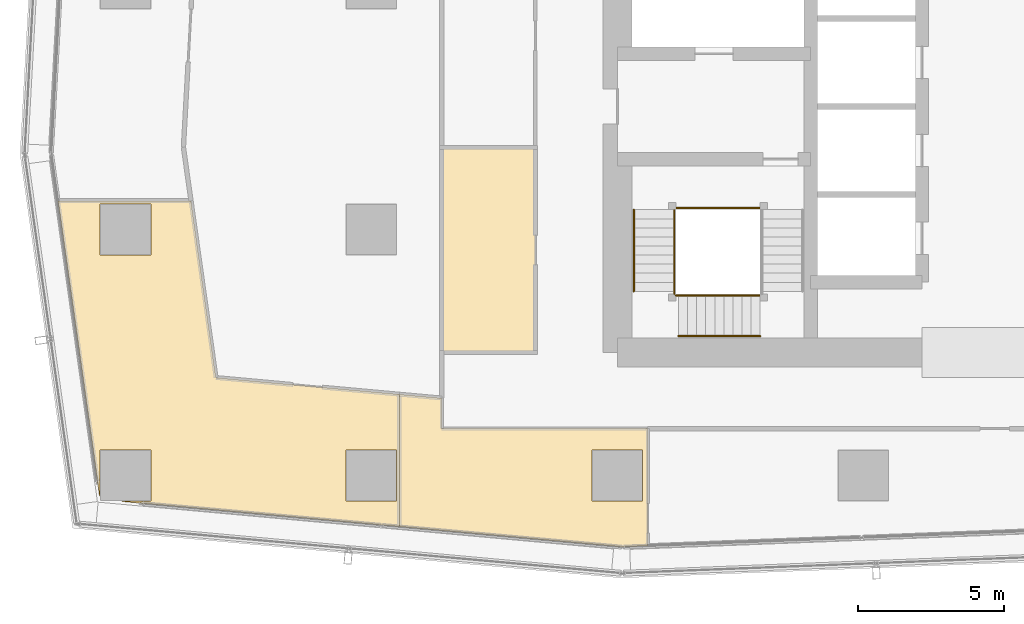
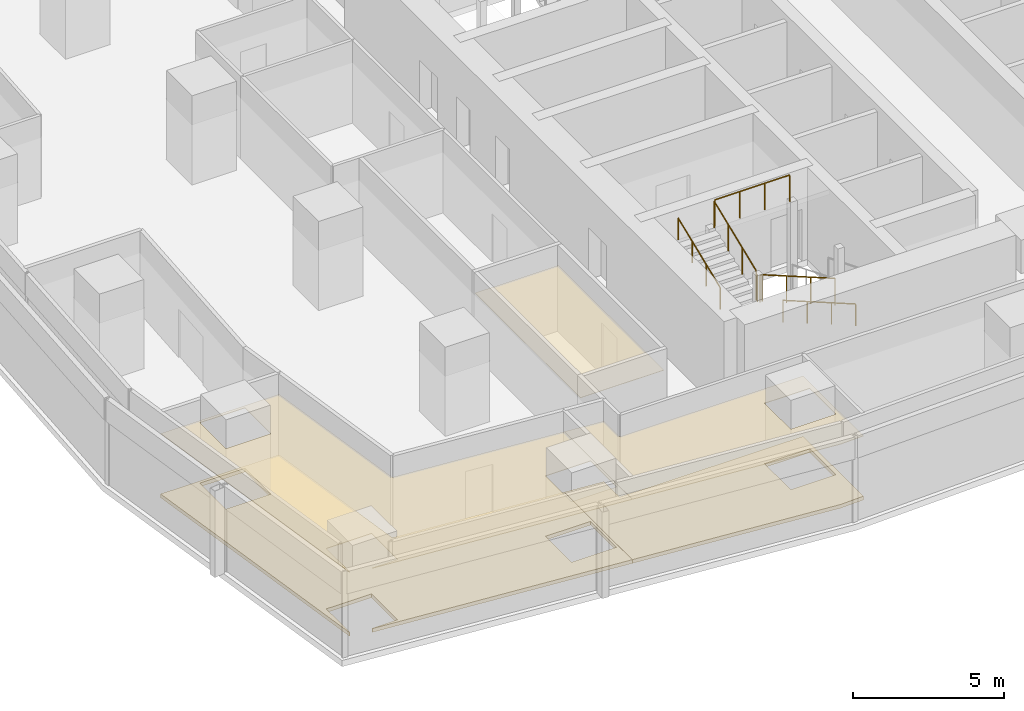
# One storey, part 33 of 40: 7 railings, 5 coverings.
"""IFC4 building model written with IfcOpenShell, lengths in metres."""

from ifc_helpers import new_model, si_unit, direction, frame, origin, origin_2d, place, context, subcontext, project, spatial, polyline, circle, outline, extrude, material, layer, layer_set, type_object, element, save


model = new_model("IFC4")

# Units and contexts
model_context = context("Model", 3, precision=1e-05, world=origin(), true_north=direction((0.0, 1.0)))
body_context = subcontext(model_context, "Body", "Model", "MODEL_VIEW")
ifc_project = project(units=[si_unit("LENGTHUNIT", "METRE"), si_unit("AREAUNIT", "SQUARE_METRE"), si_unit("VOLUMEUNIT", "CUBIC_METRE"), si_unit("PLANEANGLEUNIT", "RADIAN"), si_unit("MASSUNIT", "GRAM", prefix="KILO")], contexts=[model_context])

# Site, building, storey
site_placement = place(None, origin())
site = spatial("IfcSite", under=ifc_project, at=site_placement, CompositionType="ELEMENT")
building_placement = place(site_placement, origin())
building = spatial("IfcBuilding", under=site, at=building_placement, Name="Rekha Terrace Tower", CompositionType="ELEMENT")
storey_placement = place(building_placement, frame((0.0, 0.0, 102.800048828125)))
storey = spatial("IfcBuildingStorey", under=building, at=storey_placement, Name="L25", CompositionType="ELEMENT", Elevation=102.800048828125)

# Coverings
ifc_material_1 = material(Name="Mineral fibre tile in exposed grid", Category="finish")
ifc_layer_1 = layer(ifc_material_1, 0.02001953125)
ifc_layer_set_1 = layer_set([ifc_layer_1], Name="Mineral fibre tile in exposed grid")
covering_type_1 = type_object("IfcCoveringType", Name="CL1 600x1200 office grid ceiling", PredefinedType="CEILING", material=ifc_layer_set_1)
covering_1_placement = place(storey_placement, frame((0.0, 0.0, 2.579833984375)))
element("IfcCovering", 1, at=covering_1_placement, inside=storey, type_object=covering_type_1, Name="Ceiling L25-19", PredefinedType="CEILING", context=body_context, shape_type="SweptSolid", body=[
    extrude(outline(polyline([(7.514892578125, 16.096923828125), (7.534912109375, 16.097900390625), (7.534912109375, 17.6650390625), (9.264892578125, 17.6650390625), (9.264892578125, 15.93505859375), (8.283935546875, 15.93505859375), (8.282958984375, 15.912109375), (17.751953125, 15.052001953125), (17.751953125, 19.570068359375), (11.489990234375, 20.138916015625), (10.638916015625, 26.176025390625), (6.094970703125, 26.176025390625), (7.514892578125, 16.096923828125)]), holes=[polyline([(17.6650390625, 15.93505859375), (15.93505859375, 15.93505859375), (15.93505859375, 17.6650390625), (17.6650390625, 17.6650390625), (17.6650390625, 15.93505859375)]), polyline([(9.264892578125, 24.3349609375), (7.534912109375, 24.3349609375), (7.534912109375, 26.06494140625), (9.264892578125, 26.06494140625), (9.264892578125, 24.3349609375)])]), origin(), (0.0, 0.0, 1.0), 0.02001953125),
])
covering_2_placement = place(storey_placement, frame((0.0, 0.0, 2.579833984375)))
element("IfcCovering", 2, at=covering_2_placement, inside=storey, type_object=covering_type_1, Name="Ceiling L25-20", PredefinedType="CEILING", context=body_context, shape_type="SweptSolid", body=[
    extrude(outline(polyline([(26.23388671875, 14.39697265625), (26.23388671875, 18.39990234375), (19.199951171875, 18.39990234375), (19.199951171875, 19.43896484375), (17.7529296875, 19.570068359375), (17.7529296875, 15.052001953125), (25.346923828125, 14.362060546875), (26.23388671875, 14.39697265625)]), holes=[polyline([(26.06494140625, 17.6650390625), (26.06494140625, 15.93505859375), (24.3349609375, 15.93505859375), (24.3349609375, 17.6650390625), (26.06494140625, 17.6650390625)])]), origin(), (0.0, 0.0, 1.0), 0.02001953125),
])
ifc_material_2 = material(Name="Fibre cement board", Category="finish")
ifc_layer_2 = layer(ifc_material_2, 0.014892578125)
ifc_layer_set_2 = layer_set([ifc_layer_2], Name="Fibre cement board")
covering_type_2 = type_object("IfcCoveringType", Name="CL2 moisture-resistant board ceiling", PredefinedType="CEILING", material=ifc_layer_set_2)
covering_3_placement = place(storey_placement, frame((0.0, 0.0, 2.5849609375)))
element("IfcCovering", 3, at=covering_3_placement, inside=storey, type_object=covering_type_2, Name="Ceiling L25-WCM", PredefinedType="CEILING", context=body_context, shape_type="SweptSolid", body=[
    extrude(outline(polyline([(22.39990234375, 28.0), (19.199951171875, 28.0), (19.199951171875, 21.0), (22.39990234375, 21.0), (22.39990234375, 28.0)])), origin(), (0.0, 0.0, 1.0), 0.014892578125),
])

# Railings
ifc_material_3 = material(Name="Stainless steel balustrade", Category="steel")
railing_type_1 = type_object("IfcRailingType", Name="GR1 1100 stair guard", PredefinedType="GUARDRAIL", material=ifc_material_3)
railing_1_placement = place(storey_placement, frame((30.074951171875, 22.93994140625, 1.375)))
element("IfcRailing", 4, at=railing_1_placement, inside=storey, type_object=railing_type_1, Name="Guard ST1 L25 flight 2", PredefinedType="GUARDRAIL", context=body_context, shape_type="SweptSolid", body=[
    extrude(circle(Radius=0.02392578125, at=origin_2d()), frame((0.0, 0.0, 1.076171875), z_axis=(-0.927443287984, 0.0, 0.373963831907), x_axis=(0.0, -1.0, 0.0)), (0.0, 0.0, 1.0), 3.00830078125),
    extrude(circle(Radius=0.02099609375, at=origin_2d()), origin(), (0.0, 0.0, 1.0), 1.052001953125),
    extrude(circle(Radius=0.02099609375, at=origin_2d()), frame((-0.929931640625, 0.0, 0.375)), (0.0, 0.0, 1.0), 1.052001953125),
    extrude(circle(Radius=0.02099609375, at=origin_2d()), frame((-1.860107421875, 0.0, 0.75)), (0.0, 0.0, 1.0), 1.052001953125),
    extrude(circle(Radius=0.02099609375, at=origin_2d()), frame((-2.7900390625, 0.0, 1.125)), (0.0, 0.0, 1.0), 1.052001953125),
])
railing_2_placement = place(storey_placement, frame((27.139892578125, 23.0849609375, 2.625)))
element("IfcRailing", 5, at=railing_2_placement, inside=storey, type_object=railing_type_1, Name="Guard ST1 L25 flight 3", PredefinedType="GUARDRAIL", context=body_context, shape_type="SweptSolid", body=[
    extrude(circle(Radius=0.02392578125, at=origin_2d()), frame((0.0, 0.0, 1.076171875), z_axis=(0.0, 0.927443287984, 0.373963831907), x_axis=(-1.0, 0.0, 0.0)), (0.0, 0.0, 1.0), 3.00830078125),
    extrude(circle(Radius=0.02099609375, at=origin_2d()), origin(), (0.0, 0.0, 1.0), 1.052001953125),
    extrude(circle(Radius=0.02099609375, at=origin_2d()), frame((0.0, 0.929931640625, 0.375)), (0.0, 0.0, 1.0), 1.052001953125),
    extrude(circle(Radius=0.02099609375, at=origin_2d()), frame((0.0, 1.860107421875, 0.75)), (0.0, 0.0, 1.0), 1.052001953125),
    extrude(circle(Radius=0.02099609375, at=origin_2d()), frame((0.0, 2.7900390625, 1.125)), (0.0, 0.0, 1.0), 1.052001953125),
])
railing_3_placement = place(storey_placement, frame((27.284912109375, 22.93994140625, 2.5)))
element("IfcRailing", 6, at=railing_3_placement, inside=storey, type_object=railing_type_1, Name="Guard ST1 L25 landing 2", PredefinedType="GUARDRAIL", context=body_context, shape_type="SweptSolid", body=[
    extrude(circle(Radius=0.02392578125, at=origin_2d()), frame((0.0, 0.0, 1.076171875), z_axis=(-1.0, 0.0, 0.0), x_axis=(0.0, -1.0, 0.0)), (0.0, 0.0, 1.0), 0.0849609375),
    extrude(circle(Radius=0.02099609375, at=origin_2d()), origin(), (0.0, 0.0, 1.0), 1.052001953125),
    extrude(circle(Radius=0.02099609375, at=origin_2d()), frame((-0.0849609375, 0.0, 0.0)), (0.0, 0.0, 1.0), 1.052001953125),
])
railing_4_placement = place(storey_placement, frame((27.139892578125, 23.0849609375, 2.5)))
element("IfcRailing", 7, at=railing_4_placement, inside=storey, type_object=railing_type_1, Name="Guard ST1 L25 landing 3", PredefinedType="GUARDRAIL", context=body_context, shape_type="SweptSolid", body=[
    extrude(circle(Radius=0.02392578125, at=origin_2d()), frame((0.0, 0.0, 1.076171875), z_axis=(0.0, -1.0, 0.0), x_axis=(1.0, 0.0, 0.0)), (0.0, 0.0, 1.0), 0.0849609375),
    extrude(circle(Radius=0.02099609375, at=origin_2d()), origin(), (0.0, 0.0, 1.0), 1.052001953125),
    extrude(circle(Radius=0.02099609375, at=origin_2d()), frame((0.0, -0.0849609375, 0.0)), (0.0, 0.0, 1.0), 1.052001953125),
])
railing_5_placement = place(storey_placement, frame((30.074951171875, 25.93505859375, 3.75)))
element("IfcRailing", 8, at=railing_5_placement, inside=storey, type_object=railing_type_1, Name="Guard ST1 L25 landing 4", PredefinedType="GUARDRAIL", context=body_context, shape_type="SweptSolid", body=[
    extrude(circle(Radius=0.02392578125, at=origin_2d()), frame((0.0, 0.0, 1.076171875), z_axis=(-1.0, 0.0, 0.0), x_axis=(0.0, -1.0, 0.0)), (0.0, 0.0, 1.0), 2.875),
    extrude(circle(Radius=0.02099609375, at=origin_2d()), origin(), (0.0, 0.0, 1.0), 1.052001953125),
    extrude(circle(Radius=0.02099609375, at=origin_2d()), frame((-0.958251953125, 0.0, 0.0)), (0.0, 0.0, 1.0), 1.052001953125),
    extrude(circle(Radius=0.02099609375, at=origin_2d()), frame((-1.916748046875, 0.0, 0.0)), (0.0, 0.0, 1.0), 1.052001953125),
    extrude(circle(Radius=0.02099609375, at=origin_2d()), frame((-2.875, 0.0, 0.0)), (0.0, 0.0, 1.0), 1.052001953125),
])
ifc_material_4 = material(Name="Stainless steel tube", Category="steel")
railing_type_2 = type_object("IfcRailingType", Name="HR1 900 stair handrail", PredefinedType="HANDRAIL", material=ifc_material_4)
railing_6_placement = place(storey_placement, frame((30.074951171875, 21.56005859375, 1.375)))
element("IfcRailing", 9, at=railing_6_placement, inside=storey, type_object=railing_type_2, Name="Handrail ST1 L25 flight 2", PredefinedType="HANDRAIL", context=body_context, shape_type="SweptSolid", body=[
    extrude(circle(Radius=0.02392578125, at=origin_2d()), frame((0.0, 0.0, 0.8759765625), z_axis=(-0.927443287984, 0.0, 0.373963831907), x_axis=(0.0, -1.0, 0.0)), (0.0, 0.0, 1.0), 3.00830078125),
    extrude(circle(Radius=0.02099609375, at=origin_2d()), origin(), (0.0, 0.0, 1.0), 0.851806640625),
    extrude(circle(Radius=0.02099609375, at=origin_2d()), frame((-0.929931640625, 0.0, 0.375)), (0.0, 0.0, 1.0), 0.851806640625),
    extrude(circle(Radius=0.02099609375, at=origin_2d()), frame((-1.860107421875, 0.0, 0.75)), (0.0, 0.0, 1.0), 0.851806640625),
    extrude(circle(Radius=0.02099609375, at=origin_2d()), frame((-2.7900390625, 0.0, 1.125)), (0.0, 0.0, 1.0), 0.851806640625),
])
railing_7_placement = place(storey_placement, frame((25.760009765625, 23.0849609375, 2.625)))
element("IfcRailing", 10, at=railing_7_placement, inside=storey, type_object=railing_type_2, Name="Handrail ST1 L25 flight 3", PredefinedType="HANDRAIL", context=body_context, shape_type="SweptSolid", body=[
    extrude(circle(Radius=0.02392578125, at=origin_2d()), frame((0.0, 0.0, 0.8759765625), z_axis=(0.0, 0.927443287984, 0.373963831907), x_axis=(-1.0, 0.0, 0.0)), (0.0, 0.0, 1.0), 3.00830078125),
    extrude(circle(Radius=0.02099609375, at=origin_2d()), origin(), (0.0, 0.0, 1.0), 0.851806640625),
    extrude(circle(Radius=0.02099609375, at=origin_2d()), frame((0.0, 0.929931640625, 0.375)), (0.0, 0.0, 1.0), 0.851806640625),
    extrude(circle(Radius=0.02099609375, at=origin_2d()), frame((0.0, 1.860107421875, 0.75)), (0.0, 0.0, 1.0), 0.851806640625),
    extrude(circle(Radius=0.02099609375, at=origin_2d()), frame((0.0, 2.7900390625, 1.125)), (0.0, 0.0, 1.0), 0.851806640625),
])

# Coverings
ifc_material_5 = material(Name="Calcium sulphate panels on steel pedestals", Category="steel")
ifc_layer_3 = layer(ifc_material_5, 0.14990234375)
ifc_layer_set_3 = layer_set([ifc_layer_3], Name="Calcium sulphate panels on steel pedestals")
covering_type_3 = type_object("IfcCoveringType", Name="RF1 150 raised access floor", PredefinedType="FLOORING", material=ifc_layer_set_3)
covering_4_placement = place(storey_placement, origin())
element("IfcCovering", 11, at=covering_4_placement, inside=storey, type_object=covering_type_3, Name="Raised floor L25-19", PredefinedType="FLOORING", context=body_context, shape_type="SweptSolid", body=[
    extrude(outline(polyline([(7.514892578125, 16.096923828125), (7.534912109375, 16.097900390625), (7.534912109375, 17.6650390625), (9.264892578125, 17.6650390625), (9.264892578125, 15.93505859375), (8.283935546875, 15.93505859375), (8.282958984375, 15.912109375), (17.751953125, 15.052001953125), (17.751953125, 19.570068359375), (11.489990234375, 20.138916015625), (10.638916015625, 26.176025390625), (6.094970703125, 26.176025390625), (7.514892578125, 16.096923828125)]), holes=[polyline([(17.6650390625, 15.93505859375), (15.93505859375, 15.93505859375), (15.93505859375, 17.6650390625), (17.6650390625, 17.6650390625), (17.6650390625, 15.93505859375)]), polyline([(9.264892578125, 24.3349609375), (7.534912109375, 24.3349609375), (7.534912109375, 26.06494140625), (9.264892578125, 26.06494140625), (9.264892578125, 24.3349609375)])]), origin(), (0.0, 0.0, 1.0), 0.14990234375),
])
covering_5_placement = place(storey_placement, origin())
element("IfcCovering", 12, at=covering_5_placement, inside=storey, type_object=covering_type_3, Name="Raised floor L25-20", PredefinedType="FLOORING", context=body_context, shape_type="SweptSolid", body=[
    extrude(outline(polyline([(26.23388671875, 14.39697265625), (26.23388671875, 18.39990234375), (19.199951171875, 18.39990234375), (19.199951171875, 19.43896484375), (17.7529296875, 19.570068359375), (17.7529296875, 15.052001953125), (25.346923828125, 14.362060546875), (26.23388671875, 14.39697265625)]), holes=[polyline([(26.06494140625, 17.6650390625), (26.06494140625, 15.93505859375), (24.3349609375, 15.93505859375), (24.3349609375, 17.6650390625), (26.06494140625, 17.6650390625)])]), origin(), (0.0, 0.0, 1.0), 0.14990234375),
])

save(model, "model.ifc")
